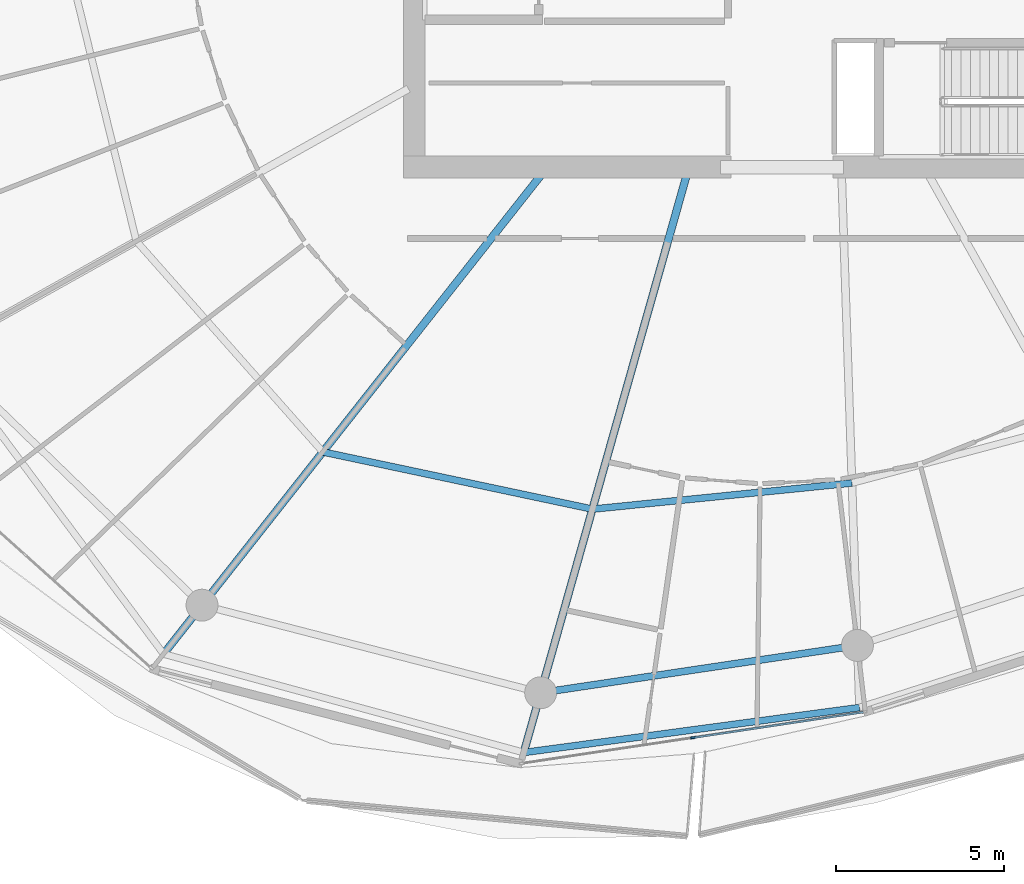
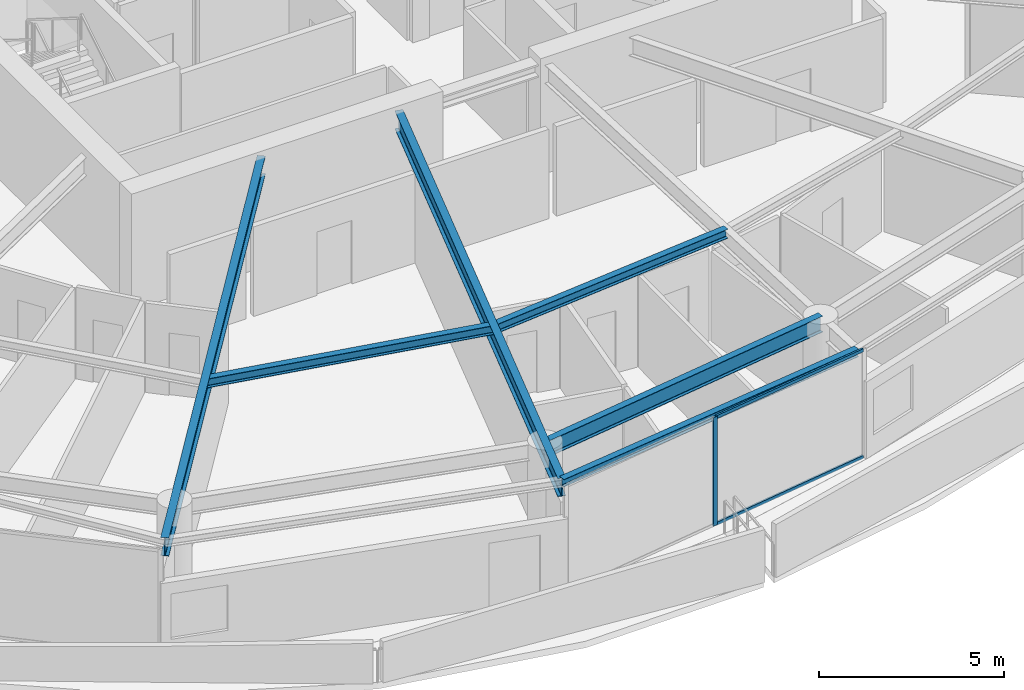
# One storey, part 7 of 30: 6 beams, 3 members, 1 element without a shape of its own.
"""IFC4 building model written with IfcOpenShell, lengths in metres."""

from ifc_helpers import new_model, si_unit, direction, frame, origin, origin_2d, place, context, subcontext, project, spatial, rectangle, i_section, extrude, material, layer, layer_set, material_profile, profile_set, type_object, element, aggregate, save


model = new_model("IFC4")

# Units and contexts
model_context = context("Model", 3, precision=1e-05, world=origin(), true_north=direction((0.0, 1.0)))
body_context = subcontext(model_context, "Body", "Model", "MODEL_VIEW")
ifc_project = project(units=[si_unit("LENGTHUNIT", "METRE"), si_unit("AREAUNIT", "SQUARE_METRE"), si_unit("VOLUMEUNIT", "CUBIC_METRE"), si_unit("PLANEANGLEUNIT", "RADIAN"), si_unit("MASSUNIT", "GRAM", prefix="KILO")], contexts=[model_context])

# Site, building, storey
site_placement = place(None, origin())
site = spatial("IfcSite", under=ifc_project, at=site_placement, CompositionType="ELEMENT")
building_placement = place(site_placement, origin())
building = spatial("IfcBuilding", under=site, at=building_placement, Name="Kazma Halo Residences", CompositionType="ELEMENT")
storey_placement = place(building_placement, frame((0.0, 0.0, 263.64990234375)))
storey = spatial("IfcBuildingStorey", under=building, at=storey_placement, Name="L66", CompositionType="ELEMENT", Elevation=263.64990234375)

# Beams
ifc_material_1 = material(Name="Steel S355", Category="steel")
ifc_material_profile_1 = material_profile(ifc_material_1, i_section(OverallWidth=0.201904296875, OverallDepth=0.2470703125, WebThickness=0.00732421875, FlangeThickness=0.010986328125, FilletRadius=0.011962890625, at=origin_2d()), Name="W250x49.1")
ifc_profile_set_1 = profile_set([ifc_material_profile_1], Name="Steel S355")
beam_type_1 = type_object("IfcBeamType", Name="BM-BAL-CANT", PredefinedType="BEAM", material=ifc_profile_set_1)
beam_1_placement = place(storey_placement, frame((40.73486328125, 16.239990234375, 3.466552734375), z_axis=(0.991137416918, 0.132840584106, 0.0), x_axis=(-0.132840584106, 0.991137416918, 0.0)))
element("IfcBeam", 1, at=beam_1_placement, inside=storey, type_object=beam_type_1, Name="L66 wave-balcony tie beam 11", PredefinedType="BEAM", context=body_context, shape_type="SweptSolid", body=[
    extrude(i_section(OverallWidth=0.201904296875, OverallDepth=0.2470703125, WebThickness=0.00732421875, FlangeThickness=0.010986328125, FilletRadius=0.011962890625, at=origin_2d()), origin(), (0.0, 0.0, 1.0), 10.087890625),
])
ifc_material_profile_2 = material_profile(ifc_material_1, i_section(OverallWidth=0.22802734375, OverallDepth=0.60791015625, WebThickness=0.01123046875, FlangeThickness=0.017333984375, FilletRadius=0.01806640625, at=origin_2d()), Name="W610x113")
ifc_profile_set_2 = profile_set([ifc_material_profile_2], Name="Steel S355")
beam_type_2 = type_object("IfcBeamType", Name="BM-RAD-W610", PredefinedType="BEAM", material=ifc_profile_set_2)
beam_2_placement = place(storey_placement, frame((41.299072265625, 33.5, 3.2861328125), z_axis=(-0.6190864347, -0.785322854863, 0.0), x_axis=(0.785322854863, -0.6190864347, 0.0)))
element("IfcBeam", 2, at=beam_2_placement, inside=storey, type_object=beam_type_2, Name="L66 radial floor beam 10", PredefinedType="BEAM", context=body_context, shape_type="SweptSolid", body=[
    extrude(i_section(OverallWidth=0.22802734375, OverallDepth=0.60791015625, WebThickness=0.01123046875, FlangeThickness=0.017333984375, FilletRadius=0.01806640625, at=origin_2d()), origin(), (0.0, 0.0, 1.0), 18.239013671875),
])
beam_3_placement = place(storey_placement, frame((45.602783203125, 33.5, 3.2861328125), z_axis=(-0.271445290974, -0.962453871107, 0.0), x_axis=(0.962453871107, -0.271445290974, 0.0)))
element("IfcBeam", 3, at=beam_3_placement, inside=storey, type_object=beam_type_2, Name="L66 radial floor beam 11", PredefinedType="BEAM", context=body_context, shape_type="SweptSolid", body=[
    extrude(i_section(OverallWidth=0.22802734375, OverallDepth=0.60791015625, WebThickness=0.01123046875, FlangeThickness=0.017333984375, FilletRadius=0.01806640625, at=origin_2d()), origin(), (0.0, 0.0, 1.0), 17.933349609375),
])
ifc_material_profile_3 = material_profile(ifc_material_1, i_section(OverallWidth=0.202880859375, OverallDepth=0.302978515625, WebThickness=0.007568359375, FlangeThickness=0.01318359375, FilletRadius=0.013916015625, at=origin_2d()), Name="W310x60")
ifc_profile_set_3 = profile_set([ifc_material_profile_3], Name="Steel S355")
beam_type_3 = type_object("IfcBeamType", Name="BM-SEC-W310A", PredefinedType="JOIST", material=ifc_profile_set_3)
beam_4_placement = place(storey_placement, frame((34.75, 25.1923828125, 3.4384765625), z_axis=(0.978235588777, -0.207497308055, 0.0), x_axis=(0.207497308055, 0.978235588777, 0.0)))
element("IfcBeam", 4, at=beam_4_placement, inside=storey, type_object=beam_type_3, Name="L66 circumferential floor joist 10", PredefinedType="JOIST", context=body_context, shape_type="SweptSolid", body=[
    extrude(i_section(OverallWidth=0.202880859375, OverallDepth=0.302978515625, WebThickness=0.007568359375, FlangeThickness=0.01318359375, FilletRadius=0.013916015625, at=origin_2d()), origin(), (0.0, 0.0, 1.0), 8.2080078125),
])
beam_5_placement = place(storey_placement, frame((42.779296875, 23.4892578125, 3.4384765625), z_axis=(0.994981653225, 0.10005753218, 0.0), x_axis=(-0.10005753218, 0.994981653225, 0.0)))
element("IfcBeam", 5, at=beam_5_placement, inside=storey, type_object=beam_type_3, Name="L66 circumferential floor joist 11", PredefinedType="JOIST", context=body_context, shape_type="SweptSolid", body=[
    extrude(i_section(OverallWidth=0.202880859375, OverallDepth=0.302978515625, WebThickness=0.007568359375, FlangeThickness=0.01318359375, FilletRadius=0.013916015625, at=origin_2d()), origin(), (0.0, 0.0, 1.0), 7.76904296875),
])
ifc_material_profile_4 = material_profile(ifc_material_1, i_section(OverallWidth=0.208984375, OverallDepth=0.532958984375, WebThickness=0.01025390625, FlangeThickness=0.015625, FilletRadius=0.01611328125, at=origin_2d()), Name="W530x92")
ifc_profile_set_4 = profile_set([ifc_material_profile_4], Name="Steel S355")
beam_type_4 = type_object("IfcBeamType", Name="BM-SPN-W530", PredefinedType="BEAM", material=ifc_profile_set_4)
beam_6_placement = place(storey_placement, frame((41.237060546875, 18.0205078125, 3.323486328125), z_axis=(0.989035441627, 0.147678350495, 0.0), x_axis=(-0.147678350495, 0.989035441627, 0.0)))
element("IfcBeam", 6, at=beam_6_placement, inside=storey, type_object=beam_type_4, Name="L66 perimeter ring beam 11", PredefinedType="BEAM", context=body_context, shape_type="SweptSolid", body=[
    extrude(i_section(OverallWidth=0.208984375, OverallDepth=0.532958984375, WebThickness=0.01025390625, FlangeThickness=0.015625, FilletRadius=0.01611328125, at=origin_2d()), origin(), (0.0, 0.0, 1.0), 9.538818359375),
])

# Curtain wall, members
ifc_material_2 = material(Name="Aluminium AW-6063 T6 and Triple-Silver Low-E Glass", Category="aluminium")
ifc_layer = layer(ifc_material_2, 0.139892578125)
ifc_layer_set = layer_set([ifc_layer], Name="Aluminium AW-6063 T6 and Triple-Silver Low-E Glass")
curtain_wall_type = type_object("IfcCurtainWallType", Name="CW-SYS-5", PredefinedType="NOTDEFINED", material=ifc_layer_set)
curtain_wall_placement = place(storey_placement, origin())
curtain_wall = element("IfcCurtainWall", 7, at=curtain_wall_placement, inside=storey, type_object=curtain_wall_type, Name="L66 unitised curtain wall B11", PredefinedType="NOTDEFINED")
ifc_material_3 = material(Name="Aluminium AW-6063 T6", Category="aluminium")
ifc_material_profile_5 = material_profile(ifc_material_3, rectangle(XDim=0.06005859375, YDim=0.139892578125, at=origin_2d()), Name="CWM-60x140")
ifc_profile_set_5 = profile_set([ifc_material_profile_5], Name="Aluminium AW-6063 T6")
member_type_1 = type_object("IfcMemberType", Name="CW-SYS-5-MUL", PredefinedType="MULLION", material=ifc_profile_set_5)
member_1_placement = place(storey_placement, frame((45.7734375, 16.679931640625, 0.0), z_axis=(0.0, 0.0, 1.0), x_axis=(-0.148697080374, 0.988882792998, 0.0)))
member_1 = element("IfcMember", 8, at=member_1_placement, type_object=member_type_1, Name="CWS-5 mullion 2", PredefinedType="MULLION", context=body_context, shape_type="SweptSolid", body=[
    extrude(rectangle(XDim=0.06005859375, YDim=0.139892578125, at=origin_2d()), origin(), (0.0, 0.0, 1.0), 3.590087890625),
])
ifc_material_profile_6 = material_profile(ifc_material_3, rectangle(XDim=0.06005859375, YDim=0.10498046875, at=origin_2d()), Name="CWT-60x105")
ifc_profile_set_6 = profile_set([ifc_material_profile_6], Name="Aluminium AW-6063 T6")
member_type_2 = type_object("IfcMemberType", Name="CW-SYS-5-TRN", PredefinedType="USERDEFINED", material=ifc_profile_set_6)
member_2_placement = place(storey_placement, frame((45.80322265625, 16.6845703125, 0.030029296875), z_axis=(0.988882913569, 0.148696278541, 0.0), x_axis=(-0.148696278541, 0.988882913569, 0.0)))
member_2 = element("IfcMember", 9, at=member_2_placement, type_object=member_type_2, Name="CWS-5 transom 2.1", ObjectType="TRANSOM", PredefinedType="USERDEFINED", context=body_context, shape_type="SweptSolid", body=[
    extrude(rectangle(XDim=0.06005859375, YDim=0.10498046875, at=origin_2d()), origin(), (0.0, 0.0, 1.0), 5.099609375),
])
member_3_placement = place(storey_placement, frame((45.80322265625, 16.6845703125, 3.56005859375), z_axis=(0.988882913569, 0.148696278541, 0.0), x_axis=(-0.148696278541, 0.988882913569, 0.0)))
member_3 = element("IfcMember", 10, at=member_3_placement, type_object=member_type_2, Name="CWS-5 transom 2.2", ObjectType="TRANSOM", PredefinedType="USERDEFINED", context=body_context, shape_type="SweptSolid", body=[
    extrude(rectangle(XDim=0.06005859375, YDim=0.10498046875, at=origin_2d()), origin(), (0.0, 0.0, 1.0), 5.099609375),
])
aggregate(curtain_wall, [member_1, member_2, member_3])

save(model, "model.ifc")
